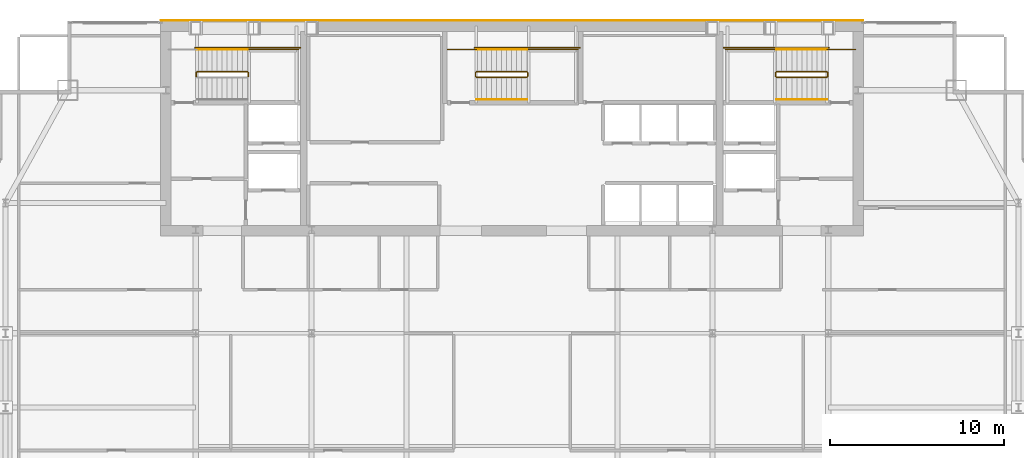
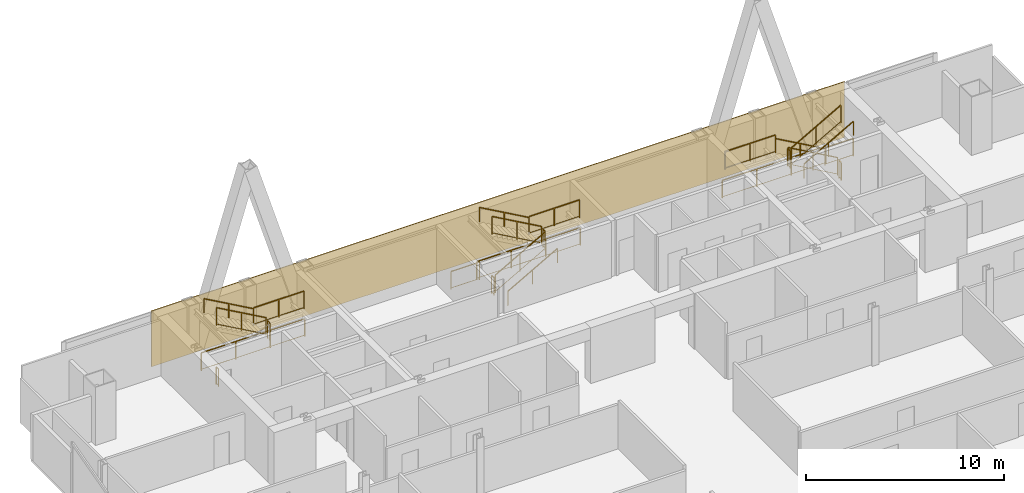
# One storey, part 32 of 32: 24 railings, 1 covering.
"""IFC4 building model written with IfcOpenShell, lengths in metres."""

from ifc_helpers import new_model, si_unit, direction, frame, origin, origin_2d, place, context, subcontext, project, spatial, polyline, rectangle, outline, extrude, material, layer, layer_set, type_object, element, save


model = new_model("IFC4")

# Units and contexts
model_context = context("Model", 3, precision=1e-05, world=origin(), true_north=direction((0.0, 1.0)))
body_context = subcontext(model_context, "Body", "Model", "MODEL_VIEW")
ifc_project = project(units=[si_unit("LENGTHUNIT", "METRE"), si_unit("AREAUNIT", "SQUARE_METRE"), si_unit("VOLUMEUNIT", "CUBIC_METRE"), si_unit("PLANEANGLEUNIT", "RADIAN"), si_unit("MASSUNIT", "GRAM", prefix="KILO")], contexts=[model_context])

# Site, building, storey
site_placement = place(None, origin())
site = spatial("IfcSite", under=ifc_project, at=site_placement, CompositionType="ELEMENT")
building_placement = place(site_placement, origin())
building = spatial("IfcBuilding", under=site, at=building_placement, Name="Khoronbel Lancet Exchange", CompositionType="ELEMENT")
storey_placement = place(building_placement, frame((0.0, 0.0, 199.39990234375)))
storey = spatial("IfcBuildingStorey", under=building, at=storey_placement, Name="L50", CompositionType="ELEMENT", Elevation=199.39990234375)

# Covering
ifc_material_1 = material(Name="Honed Egyptian Limestone & Bronze Rainscreen", Category="masonry")
ifc_layer = layer(ifc_material_1, 0.050048828125, Name="Honed Egyptian Limestone & Bronze Rainscreen")
ifc_layer_set = layer_set([ifc_layer], Name="Honed Egyptian Limestone & Bronze Rainscreen")
covering_type = type_object("IfcCoveringType", Name="COV-CLAD1", PredefinedType="CLADDING", material=ifc_layer_set)
covering_placement = place(storey_placement, origin())
element("IfcCovering", 1, at=covering_placement, inside=storey, type_object=covering_type, Name="Level L50 north rear-core stone and bronze rainscreen cladding", PredefinedType="CLADDING", context=body_context, shape_type="SweptSolid", body=[
    extrude(outline(polyline([(16.199951171875, 53.699951171875), (56.699951171875, 53.699951171875), (56.699951171875, 53.75), (16.199951171875, 53.75), (16.199951171875, 53.699951171875)])), origin(), (0.0, 0.0, 1.0), 3.440185546875),
])

# Railings
ifc_material_2 = material(Name="Painted Steel Balustrade", Category="steel")
railing_type_1 = type_object("IfcRailingType", Name="RL-STG110", PredefinedType="GUARDRAIL", material=ifc_material_2)
railing_1_placement = place(storey_placement, frame((21.25, 50.5, 1.800048828125)))
element("IfcRailing", 2, at=railing_1_placement, inside=storey, type_object=railing_type_1, Name="L50 ST1 stair guard 2", PredefinedType="GUARDRAIL", context=body_context, shape_type="SweptSolid", body=[
    extrude(rectangle(XDim=0.048095703125, YDim=0.048095703125, at=origin_2d()), frame((0.0, 0.0, 1.09619140625), z_axis=(0.0, 1.0, 0.0), x_axis=(-1.0, 0.0, 0.0)), (0.0, 0.0, 1.0), 0.219970703125),
    extrude(rectangle(XDim=0.02392578125, YDim=0.02392578125, at=origin_2d()), frame((0.0, 0.0, 0.080078125), z_axis=(0.0, 1.0, 0.0), x_axis=(-1.0, 0.0, 0.0)), (0.0, 0.0, 1.0), 0.219970703125),
    extrude(rectangle(XDim=0.0419921875, YDim=0.0419921875, at=origin_2d()), origin(), (0.0, 0.0, 1.0), 1.072021484375),
    extrude(rectangle(XDim=0.0419921875, YDim=0.0419921875, at=origin_2d()), frame((0.0, 0.219970703125, 0.0)), (0.0, 0.0, 1.0), 1.072021484375),
])
railing_2_placement = place(storey_placement, frame((21.199951171875, 52.050048828125, 1.800048828125)))
element("IfcRailing", 3, at=railing_2_placement, inside=storey, type_object=railing_type_1, Name="L50 ST1 stair guard 3", PredefinedType="GUARDRAIL", context=body_context, shape_type="SweptSolid", body=[
    extrude(rectangle(XDim=0.048095703125, YDim=0.048095703125, at=origin_2d()), frame((0.0, 0.0, 1.09619140625), z_axis=(1.0, 0.0, 0.0), x_axis=(0.0, 1.0, 0.0)), (0.0, 0.0, 1.0), 2.949951171875),
    extrude(rectangle(XDim=0.02392578125, YDim=0.02392578125, at=origin_2d()), frame((0.0, 0.0, 0.080078125), z_axis=(1.0, 0.0, 0.0), x_axis=(0.0, 1.0, 0.0)), (0.0, 0.0, 1.0), 2.949951171875),
    extrude(rectangle(XDim=0.0419921875, YDim=0.0419921875, at=origin_2d()), origin(), (0.0, 0.0, 1.0), 1.072021484375),
    extrude(rectangle(XDim=0.0419921875, YDim=0.0419921875, at=origin_2d()), frame((1.47509765625, 0.0, 0.0)), (0.0, 0.0, 1.0), 1.072021484375),
    extrude(rectangle(XDim=0.0419921875, YDim=0.0419921875, at=origin_2d()), frame((2.949951171875, 0.0, 0.0)), (0.0, 0.0, 1.0), 1.072021484375),
])
railing_3_placement = place(storey_placement, frame((21.199951171875, 50.77001953125, 1.963623046875)))
element("IfcRailing", 4, at=railing_3_placement, inside=storey, type_object=railing_type_1, Name="L50 ST1 stair guard 4", PredefinedType="GUARDRAIL", context=body_context, shape_type="SweptSolid", body=[
    extrude(rectangle(XDim=0.048095703125, YDim=0.048095703125, at=origin_2d()), frame((0.0, 0.0, 1.09619140625), z_axis=(-0.870897200241, 0.0, 0.491465224214), x_axis=(0.0, -1.0, 0.0)), (0.0, 0.0, 1.0), 3.329833984375),
    extrude(rectangle(XDim=0.02392578125, YDim=0.02392578125, at=origin_2d()), frame((0.0, 0.0, 0.080078125), z_axis=(-0.870897200241, 0.0, 0.491465224214), x_axis=(0.0, -1.0, 0.0)), (0.0, 0.0, 1.0), 3.329833984375),
    extrude(rectangle(XDim=0.0419921875, YDim=0.0419921875, at=origin_2d()), origin(), (0.0, 0.0, 1.0), 1.072021484375),
    extrude(rectangle(XDim=0.0419921875, YDim=0.0419921875, at=origin_2d()), frame((-1.449951171875, 0.0, 0.818359375)), (0.0, 0.0, 1.0), 1.072021484375),
    extrude(rectangle(XDim=0.0419921875, YDim=0.0419921875, at=origin_2d()), frame((-2.89990234375, 0.0, 1.636474609375)), (0.0, 0.0, 1.0), 1.072021484375),
])
railing_4_placement = place(storey_placement, frame((18.25, 50.5, 0.0)))
element("IfcRailing", 5, at=railing_4_placement, inside=storey, type_object=railing_type_1, Name="L50 ST1 stair guard 5", PredefinedType="GUARDRAIL", context=body_context, shape_type="SweptSolid", body=[
    extrude(rectangle(XDim=0.048095703125, YDim=0.048095703125, at=origin_2d()), frame((0.0, 0.0, 1.09619140625), z_axis=(0.0, 1.0, 0.0), x_axis=(-1.0, 0.0, 0.0)), (0.0, 0.0, 1.0), 0.219970703125),
    extrude(rectangle(XDim=0.02392578125, YDim=0.02392578125, at=origin_2d()), frame((0.0, 0.0, 0.080078125), z_axis=(0.0, 1.0, 0.0), x_axis=(-1.0, 0.0, 0.0)), (0.0, 0.0, 1.0), 0.219970703125),
    extrude(rectangle(XDim=0.0419921875, YDim=0.0419921875, at=origin_2d()), origin(), (0.0, 0.0, 1.0), 1.072021484375),
    extrude(rectangle(XDim=0.0419921875, YDim=0.0419921875, at=origin_2d()), frame((0.0, 0.219970703125, 0.0)), (0.0, 0.0, 1.0), 1.072021484375),
])
railing_5_placement = place(storey_placement, frame((18.199951171875, 52.14990234375, 0.0)))
element("IfcRailing", 6, at=railing_5_placement, inside=storey, type_object=railing_type_1, Name="L50 ST1 stair guard 7", PredefinedType="GUARDRAIL", context=body_context, shape_type="SweptSolid", body=[
    extrude(rectangle(XDim=0.048095703125, YDim=0.048095703125, at=origin_2d()), frame((0.0, 0.0, 1.09619140625), z_axis=(1.0, 0.0, 0.0), x_axis=(0.0, 1.0, 0.0)), (0.0, 0.0, 1.0), 6.050048828125),
    extrude(rectangle(XDim=0.02392578125, YDim=0.02392578125, at=origin_2d()), frame((0.0, 0.0, 0.080078125), z_axis=(1.0, 0.0, 0.0), x_axis=(0.0, 1.0, 0.0)), (0.0, 0.0, 1.0), 6.050048828125),
    extrude(rectangle(XDim=0.0419921875, YDim=0.0419921875, at=origin_2d()), origin(), (0.0, 0.0, 1.0), 1.072021484375),
    extrude(rectangle(XDim=0.0419921875, YDim=0.0419921875, at=origin_2d()), frame((2.0166015625, 0.0, 0.0)), (0.0, 0.0, 1.0), 1.072021484375),
    extrude(rectangle(XDim=0.0419921875, YDim=0.0419921875, at=origin_2d()), frame((4.033447265625, 0.0, 0.0)), (0.0, 0.0, 1.0), 1.072021484375),
    extrude(rectangle(XDim=0.0419921875, YDim=0.0419921875, at=origin_2d()), frame((6.050048828125, 0.0, 0.0)), (0.0, 0.0, 1.0), 1.072021484375),
])
railing_6_placement = place(storey_placement, frame((54.60009765625, 50.77001953125, 0.163818359375)))
element("IfcRailing", 7, at=railing_6_placement, inside=storey, type_object=railing_type_1, Name="L50 ST2 stair guard 1", PredefinedType="GUARDRAIL", context=body_context, shape_type="SweptSolid", body=[
    extrude(rectangle(XDim=0.048095703125, YDim=0.048095703125, at=origin_2d()), frame((0.0, 0.0, 1.09619140625), z_axis=(-0.870946286338, 0.0, 0.49137823142), x_axis=(0.0, -1.0, 0.0)), (0.0, 0.0, 1.0), 3.329833984375),
    extrude(rectangle(XDim=0.02392578125, YDim=0.02392578125, at=origin_2d()), frame((0.0, 0.0, 0.080078125), z_axis=(-0.870946286338, 0.0, 0.49137823142), x_axis=(0.0, -1.0, 0.0)), (0.0, 0.0, 1.0), 3.329833984375),
    extrude(rectangle(XDim=0.0419921875, YDim=0.0419921875, at=origin_2d()), origin(), (0.0, 0.0, 1.0), 1.072021484375),
    extrude(rectangle(XDim=0.0419921875, YDim=0.0419921875, at=origin_2d()), frame((-1.4501953125, 0.0, 0.818115234375)), (0.0, 0.0, 1.0), 1.072021484375),
    extrude(rectangle(XDim=0.0419921875, YDim=0.0419921875, at=origin_2d()), frame((-2.900146484375, 0.0, 1.63623046875)), (0.0, 0.0, 1.0), 1.072021484375),
])
railing_7_placement = place(storey_placement, frame((51.64990234375, 50.719970703125, 1.800048828125)))
element("IfcRailing", 8, at=railing_7_placement, inside=storey, type_object=railing_type_1, Name="L50 ST2 stair guard 2", PredefinedType="GUARDRAIL", context=body_context, shape_type="SweptSolid", body=[
    extrude(rectangle(XDim=0.048095703125, YDim=0.048095703125, at=origin_2d()), frame((0.0, 0.0, 1.09619140625), z_axis=(0.0, -1.0, 0.0), x_axis=(1.0, 0.0, 0.0)), (0.0, 0.0, 1.0), 0.219970703125),
    extrude(rectangle(XDim=0.02392578125, YDim=0.02392578125, at=origin_2d()), frame((0.0, 0.0, 0.080078125), z_axis=(0.0, -1.0, 0.0), x_axis=(1.0, 0.0, 0.0)), (0.0, 0.0, 1.0), 0.219970703125),
    extrude(rectangle(XDim=0.0419921875, YDim=0.0419921875, at=origin_2d()), origin(), (0.0, 0.0, 1.0), 1.072021484375),
    extrude(rectangle(XDim=0.0419921875, YDim=0.0419921875, at=origin_2d()), frame((0.0, -0.219970703125, 0.0)), (0.0, 0.0, 1.0), 1.072021484375),
])
railing_8_placement = place(storey_placement, frame((51.699951171875, 52.050048828125, 1.800048828125)))
element("IfcRailing", 9, at=railing_8_placement, inside=storey, type_object=railing_type_1, Name="L50 ST2 stair guard 3", PredefinedType="GUARDRAIL", context=body_context, shape_type="SweptSolid", body=[
    extrude(rectangle(XDim=0.048095703125, YDim=0.048095703125, at=origin_2d()), frame((0.0, 0.0, 1.09619140625), z_axis=(-1.0, 0.0, 0.0), x_axis=(0.0, -1.0, 0.0)), (0.0, 0.0, 1.0), 2.949951171875),
    extrude(rectangle(XDim=0.02392578125, YDim=0.02392578125, at=origin_2d()), frame((0.0, 0.0, 0.080078125), z_axis=(-1.0, 0.0, 0.0), x_axis=(0.0, -1.0, 0.0)), (0.0, 0.0, 1.0), 2.949951171875),
    extrude(rectangle(XDim=0.0419921875, YDim=0.0419921875, at=origin_2d()), origin(), (0.0, 0.0, 1.0), 1.072021484375),
    extrude(rectangle(XDim=0.0419921875, YDim=0.0419921875, at=origin_2d()), frame((-1.47509765625, 0.0, 0.0)), (0.0, 0.0, 1.0), 1.072021484375),
    extrude(rectangle(XDim=0.0419921875, YDim=0.0419921875, at=origin_2d()), frame((-2.949951171875, 0.0, 0.0)), (0.0, 0.0, 1.0), 1.072021484375),
])
railing_9_placement = place(storey_placement, frame((51.699951171875, 50.449951171875, 1.963623046875)))
element("IfcRailing", 10, at=railing_9_placement, inside=storey, type_object=railing_type_1, Name="L50 ST2 stair guard 4", PredefinedType="GUARDRAIL", context=body_context, shape_type="SweptSolid", body=[
    extrude(rectangle(XDim=0.048095703125, YDim=0.048095703125, at=origin_2d()), frame((0.0, 0.0, 1.09619140625), z_axis=(0.870914908162, 0.0, 0.491433843708), x_axis=(0.0, 1.0, 0.0)), (0.0, 0.0, 1.0), 3.330078125),
    extrude(rectangle(XDim=0.02392578125, YDim=0.02392578125, at=origin_2d()), frame((0.0, 0.0, 0.080078125), z_axis=(0.870914908162, 0.0, 0.491433843708), x_axis=(0.0, 1.0, 0.0)), (0.0, 0.0, 1.0), 3.330078125),
    extrude(rectangle(XDim=0.0419921875, YDim=0.0419921875, at=origin_2d()), origin(), (0.0, 0.0, 1.0), 1.072021484375),
    extrude(rectangle(XDim=0.0419921875, YDim=0.0419921875, at=origin_2d()), frame((1.4501953125, 0.0, 0.818359375)), (0.0, 0.0, 1.0), 1.072021484375),
    extrude(rectangle(XDim=0.0419921875, YDim=0.0419921875, at=origin_2d()), frame((2.900146484375, 0.0, 1.636474609375)), (0.0, 0.0, 1.0), 1.072021484375),
])
railing_10_placement = place(storey_placement, frame((54.64990234375, 50.719970703125, 0.0)))
element("IfcRailing", 11, at=railing_10_placement, inside=storey, type_object=railing_type_1, Name="L50 ST2 stair guard 5", PredefinedType="GUARDRAIL", context=body_context, shape_type="SweptSolid", body=[
    extrude(rectangle(XDim=0.048095703125, YDim=0.048095703125, at=origin_2d()), frame((0.0, 0.0, 1.09619140625), z_axis=(0.0, -1.0, 0.0), x_axis=(1.0, 0.0, 0.0)), (0.0, 0.0, 1.0), 0.219970703125),
    extrude(rectangle(XDim=0.02392578125, YDim=0.02392578125, at=origin_2d()), frame((0.0, 0.0, 0.080078125), z_axis=(0.0, -1.0, 0.0), x_axis=(1.0, 0.0, 0.0)), (0.0, 0.0, 1.0), 0.219970703125),
    extrude(rectangle(XDim=0.0419921875, YDim=0.0419921875, at=origin_2d()), origin(), (0.0, 0.0, 1.0), 1.072021484375),
    extrude(rectangle(XDim=0.0419921875, YDim=0.0419921875, at=origin_2d()), frame((0.0, -0.219970703125, 0.0)), (0.0, 0.0, 1.0), 1.072021484375),
])
railing_11_placement = place(storey_placement, frame((56.25, 52.050048828125, 0.0)))
element("IfcRailing", 12, at=railing_11_placement, inside=storey, type_object=railing_type_1, Name="L50 ST2 stair guard 6", PredefinedType="GUARDRAIL", context=body_context, shape_type="SweptSolid", body=[
    extrude(rectangle(XDim=0.048095703125, YDim=0.048095703125, at=origin_2d()), frame((0.0, 0.0, 1.09619140625), z_axis=(-1.0, 0.0, 0.0), x_axis=(0.0, -1.0, 0.0)), (0.0, 0.0, 1.0), 1.64990234375),
    extrude(rectangle(XDim=0.02392578125, YDim=0.02392578125, at=origin_2d()), frame((0.0, 0.0, 0.080078125), z_axis=(-1.0, 0.0, 0.0), x_axis=(0.0, -1.0, 0.0)), (0.0, 0.0, 1.0), 1.64990234375),
    extrude(rectangle(XDim=0.0419921875, YDim=0.0419921875, at=origin_2d()), origin(), (0.0, 0.0, 1.0), 1.072021484375),
    extrude(rectangle(XDim=0.0419921875, YDim=0.0419921875, at=origin_2d()), frame((-1.64990234375, 0.0, 0.0)), (0.0, 0.0, 1.0), 1.072021484375),
])
railing_12_placement = place(storey_placement, frame((54.699951171875, 52.14990234375, 0.0)))
element("IfcRailing", 13, at=railing_12_placement, inside=storey, type_object=railing_type_1, Name="L50 ST2 stair guard 7", PredefinedType="GUARDRAIL", context=body_context, shape_type="SweptSolid", body=[
    extrude(rectangle(XDim=0.048095703125, YDim=0.048095703125, at=origin_2d()), frame((0.0, 0.0, 1.09619140625), z_axis=(-1.0, 0.0, 0.0), x_axis=(0.0, -1.0, 0.0)), (0.0, 0.0, 1.0), 6.050048828125),
    extrude(rectangle(XDim=0.02392578125, YDim=0.02392578125, at=origin_2d()), frame((0.0, 0.0, 0.080078125), z_axis=(-1.0, 0.0, 0.0), x_axis=(0.0, -1.0, 0.0)), (0.0, 0.0, 1.0), 6.050048828125),
    extrude(rectangle(XDim=0.0419921875, YDim=0.0419921875, at=origin_2d()), origin(), (0.0, 0.0, 1.0), 1.072021484375),
    extrude(rectangle(XDim=0.0419921875, YDim=0.0419921875, at=origin_2d()), frame((-2.0166015625, 0.0, 0.0)), (0.0, 0.0, 1.0), 1.072021484375),
    extrude(rectangle(XDim=0.0419921875, YDim=0.0419921875, at=origin_2d()), frame((-4.033447265625, 0.0, 0.0)), (0.0, 0.0, 1.0), 1.072021484375),
    extrude(rectangle(XDim=0.0419921875, YDim=0.0419921875, at=origin_2d()), frame((-6.050048828125, 0.0, 0.0)), (0.0, 0.0, 1.0), 1.072021484375),
])
railing_13_placement = place(storey_placement, frame((34.39990234375, 50.449951171875, 0.163818359375)))
element("IfcRailing", 14, at=railing_13_placement, inside=storey, type_object=railing_type_1, Name="L50 ST3 stair guard 1", PredefinedType="GUARDRAIL", context=body_context, shape_type="SweptSolid", body=[
    extrude(rectangle(XDim=0.048095703125, YDim=0.048095703125, at=origin_2d()), frame((0.0, 0.0, 1.09619140625), z_axis=(0.870946286338, 0.0, 0.49137823142), x_axis=(0.0, 1.0, 0.0)), (0.0, 0.0, 1.0), 3.329833984375),
    extrude(rectangle(XDim=0.02392578125, YDim=0.02392578125, at=origin_2d()), frame((0.0, 0.0, 0.080078125), z_axis=(0.870946286338, 0.0, 0.49137823142), x_axis=(0.0, 1.0, 0.0)), (0.0, 0.0, 1.0), 3.329833984375),
    extrude(rectangle(XDim=0.0419921875, YDim=0.0419921875, at=origin_2d()), origin(), (0.0, 0.0, 1.0), 1.072021484375),
    extrude(rectangle(XDim=0.0419921875, YDim=0.0419921875, at=origin_2d()), frame((1.4501953125, 0.0, 0.818115234375)), (0.0, 0.0, 1.0), 1.072021484375),
    extrude(rectangle(XDim=0.0419921875, YDim=0.0419921875, at=origin_2d()), frame((2.900146484375, 0.0, 1.63623046875)), (0.0, 0.0, 1.0), 1.072021484375),
])
railing_14_placement = place(storey_placement, frame((37.35009765625, 50.5, 1.800048828125)))
element("IfcRailing", 15, at=railing_14_placement, inside=storey, type_object=railing_type_1, Name="L50 ST3 stair guard 2", PredefinedType="GUARDRAIL", context=body_context, shape_type="SweptSolid", body=[
    extrude(rectangle(XDim=0.048095703125, YDim=0.048095703125, at=origin_2d()), frame((0.0, 0.0, 1.09619140625), z_axis=(0.0, 1.0, 0.0), x_axis=(-1.0, 0.0, 0.0)), (0.0, 0.0, 1.0), 0.219970703125),
    extrude(rectangle(XDim=0.02392578125, YDim=0.02392578125, at=origin_2d()), frame((0.0, 0.0, 0.080078125), z_axis=(0.0, 1.0, 0.0), x_axis=(-1.0, 0.0, 0.0)), (0.0, 0.0, 1.0), 0.219970703125),
    extrude(rectangle(XDim=0.0419921875, YDim=0.0419921875, at=origin_2d()), origin(), (0.0, 0.0, 1.0), 1.072021484375),
    extrude(rectangle(XDim=0.0419921875, YDim=0.0419921875, at=origin_2d()), frame((0.0, 0.219970703125, 0.0)), (0.0, 0.0, 1.0), 1.072021484375),
])
railing_15_placement = place(storey_placement, frame((37.300048828125, 52.050048828125, 1.800048828125)))
element("IfcRailing", 16, at=railing_15_placement, inside=storey, type_object=railing_type_1, Name="L50 ST3 stair guard 3", PredefinedType="GUARDRAIL", context=body_context, shape_type="SweptSolid", body=[
    extrude(rectangle(XDim=0.048095703125, YDim=0.048095703125, at=origin_2d()), frame((0.0, 0.0, 1.09619140625), z_axis=(1.0, 0.0, 0.0), x_axis=(0.0, 1.0, 0.0)), (0.0, 0.0, 1.0), 2.949951171875),
    extrude(rectangle(XDim=0.02392578125, YDim=0.02392578125, at=origin_2d()), frame((0.0, 0.0, 0.080078125), z_axis=(1.0, 0.0, 0.0), x_axis=(0.0, 1.0, 0.0)), (0.0, 0.0, 1.0), 2.949951171875),
    extrude(rectangle(XDim=0.0419921875, YDim=0.0419921875, at=origin_2d()), origin(), (0.0, 0.0, 1.0), 1.072021484375),
    extrude(rectangle(XDim=0.0419921875, YDim=0.0419921875, at=origin_2d()), frame((1.47509765625, 0.0, 0.0)), (0.0, 0.0, 1.0), 1.072021484375),
    extrude(rectangle(XDim=0.0419921875, YDim=0.0419921875, at=origin_2d()), frame((2.949951171875, 0.0, 0.0)), (0.0, 0.0, 1.0), 1.072021484375),
])
railing_16_placement = place(storey_placement, frame((37.300048828125, 50.77001953125, 1.963623046875)))
element("IfcRailing", 17, at=railing_16_placement, inside=storey, type_object=railing_type_1, Name="L50 ST3 stair guard 4", PredefinedType="GUARDRAIL", context=body_context, shape_type="SweptSolid", body=[
    extrude(rectangle(XDim=0.048095703125, YDim=0.048095703125, at=origin_2d()), frame((0.0, 0.0, 1.09619140625), z_axis=(-0.870914908162, 0.0, 0.491433843708), x_axis=(0.0, -1.0, 0.0)), (0.0, 0.0, 1.0), 3.330078125),
    extrude(rectangle(XDim=0.02392578125, YDim=0.02392578125, at=origin_2d()), frame((0.0, 0.0, 0.080078125), z_axis=(-0.870914908162, 0.0, 0.491433843708), x_axis=(0.0, -1.0, 0.0)), (0.0, 0.0, 1.0), 3.330078125),
    extrude(rectangle(XDim=0.0419921875, YDim=0.0419921875, at=origin_2d()), origin(), (0.0, 0.0, 1.0), 1.072021484375),
    extrude(rectangle(XDim=0.0419921875, YDim=0.0419921875, at=origin_2d()), frame((-1.4501953125, 0.0, 0.818359375)), (0.0, 0.0, 1.0), 1.072021484375),
    extrude(rectangle(XDim=0.0419921875, YDim=0.0419921875, at=origin_2d()), frame((-2.900146484375, 0.0, 1.636474609375)), (0.0, 0.0, 1.0), 1.072021484375),
])
railing_17_placement = place(storey_placement, frame((34.35009765625, 50.5, 0.0)))
element("IfcRailing", 18, at=railing_17_placement, inside=storey, type_object=railing_type_1, Name="L50 ST3 stair guard 5", PredefinedType="GUARDRAIL", context=body_context, shape_type="SweptSolid", body=[
    extrude(rectangle(XDim=0.048095703125, YDim=0.048095703125, at=origin_2d()), frame((0.0, 0.0, 1.09619140625), z_axis=(0.0, 1.0, 0.0), x_axis=(-1.0, 0.0, 0.0)), (0.0, 0.0, 1.0), 0.219970703125),
    extrude(rectangle(XDim=0.02392578125, YDim=0.02392578125, at=origin_2d()), frame((0.0, 0.0, 0.080078125), z_axis=(0.0, 1.0, 0.0), x_axis=(-1.0, 0.0, 0.0)), (0.0, 0.0, 1.0), 0.219970703125),
    extrude(rectangle(XDim=0.0419921875, YDim=0.0419921875, at=origin_2d()), origin(), (0.0, 0.0, 1.0), 1.072021484375),
    extrude(rectangle(XDim=0.0419921875, YDim=0.0419921875, at=origin_2d()), frame((0.0, 0.219970703125, 0.0)), (0.0, 0.0, 1.0), 1.072021484375),
])
railing_18_placement = place(storey_placement, frame((32.75, 52.050048828125, 0.0)))
element("IfcRailing", 19, at=railing_18_placement, inside=storey, type_object=railing_type_1, Name="L50 ST3 stair guard 6", PredefinedType="GUARDRAIL", context=body_context, shape_type="SweptSolid", body=[
    extrude(rectangle(XDim=0.048095703125, YDim=0.048095703125, at=origin_2d()), frame((0.0, 0.0, 1.09619140625), z_axis=(1.0, 0.0, 0.0), x_axis=(0.0, 1.0, 0.0)), (0.0, 0.0, 1.0), 1.64990234375),
    extrude(rectangle(XDim=0.02392578125, YDim=0.02392578125, at=origin_2d()), frame((0.0, 0.0, 0.080078125), z_axis=(1.0, 0.0, 0.0), x_axis=(0.0, 1.0, 0.0)), (0.0, 0.0, 1.0), 1.64990234375),
    extrude(rectangle(XDim=0.0419921875, YDim=0.0419921875, at=origin_2d()), origin(), (0.0, 0.0, 1.0), 1.072021484375),
    extrude(rectangle(XDim=0.0419921875, YDim=0.0419921875, at=origin_2d()), frame((1.64990234375, 0.0, 0.0)), (0.0, 0.0, 1.0), 1.072021484375),
])
railing_19_placement = place(storey_placement, frame((34.300048828125, 52.14990234375, 0.0)))
element("IfcRailing", 20, at=railing_19_placement, inside=storey, type_object=railing_type_1, Name="L50 ST3 stair guard 7", PredefinedType="GUARDRAIL", context=body_context, shape_type="SweptSolid", body=[
    extrude(rectangle(XDim=0.048095703125, YDim=0.048095703125, at=origin_2d()), frame((0.0, 0.0, 1.09619140625), z_axis=(1.0, 0.0, 0.0), x_axis=(0.0, 1.0, 0.0)), (0.0, 0.0, 1.0), 6.050048828125),
    extrude(rectangle(XDim=0.02392578125, YDim=0.02392578125, at=origin_2d()), frame((0.0, 0.0, 0.080078125), z_axis=(1.0, 0.0, 0.0), x_axis=(0.0, 1.0, 0.0)), (0.0, 0.0, 1.0), 6.050048828125),
    extrude(rectangle(XDim=0.0419921875, YDim=0.0419921875, at=origin_2d()), origin(), (0.0, 0.0, 1.0), 1.072021484375),
    extrude(rectangle(XDim=0.0419921875, YDim=0.0419921875, at=origin_2d()), frame((2.0166015625, 0.0, 0.0)), (0.0, 0.0, 1.0), 1.072021484375),
    extrude(rectangle(XDim=0.0419921875, YDim=0.0419921875, at=origin_2d()), frame((4.033447265625, 0.0, 0.0)), (0.0, 0.0, 1.0), 1.072021484375),
    extrude(rectangle(XDim=0.0419921875, YDim=0.0419921875, at=origin_2d()), frame((6.050048828125, 0.0, 0.0)), (0.0, 0.0, 1.0), 1.072021484375),
])
ifc_material_3 = material(Name="Brushed Stainless Steel 316", Category="steel")
railing_type_2 = type_object("IfcRailingType", Name="RL-STH92", PredefinedType="HANDRAIL", material=ifc_material_3)
railing_20_placement = place(storey_placement, frame((21.199951171875, 52.050048828125, 1.963623046875)))
element("IfcRailing", 21, at=railing_20_placement, inside=storey, type_object=railing_type_2, Name="L50 ST1 stair handrail 2", PredefinedType="HANDRAIL", context=body_context, shape_type="SweptSolid", body=[
    extrude(rectangle(XDim=0.048095703125, YDim=0.048095703125, at=origin_2d()), frame((0.0, 0.0, 0.8759765625), z_axis=(-0.870897200241, 0.0, 0.491465224214), x_axis=(0.0, -1.0, 0.0)), (0.0, 0.0, 1.0), 3.329833984375),
    extrude(rectangle(XDim=0.0419921875, YDim=0.0419921875, at=origin_2d()), origin(), (0.0, 0.0, 1.0), 0.851806640625),
    extrude(rectangle(XDim=0.0419921875, YDim=0.0419921875, at=origin_2d()), frame((-1.449951171875, 0.0, 0.818359375)), (0.0, 0.0, 1.0), 0.851806640625),
    extrude(rectangle(XDim=0.0419921875, YDim=0.0419921875, at=origin_2d()), frame((-2.89990234375, 0.0, 1.636474609375)), (0.0, 0.0, 1.0), 0.851806640625),
])
railing_21_placement = place(storey_placement, frame((54.60009765625, 52.050048828125, 0.163818359375)))
element("IfcRailing", 22, at=railing_21_placement, inside=storey, type_object=railing_type_2, Name="L50 ST2 stair handrail 1", PredefinedType="HANDRAIL", context=body_context, shape_type="SweptSolid", body=[
    extrude(rectangle(XDim=0.048095703125, YDim=0.048095703125, at=origin_2d()), frame((0.0, 0.0, 0.8759765625), z_axis=(-0.870946286338, 0.0, 0.49137823142), x_axis=(0.0, -1.0, 0.0)), (0.0, 0.0, 1.0), 3.329833984375),
    extrude(rectangle(XDim=0.0419921875, YDim=0.0419921875, at=origin_2d()), origin(), (0.0, 0.0, 1.0), 0.851806640625),
    extrude(rectangle(XDim=0.0419921875, YDim=0.0419921875, at=origin_2d()), frame((-1.4501953125, 0.0, 0.818115234375)), (0.0, 0.0, 1.0), 0.851806640625),
    extrude(rectangle(XDim=0.0419921875, YDim=0.0419921875, at=origin_2d()), frame((-2.900146484375, 0.0, 1.63623046875)), (0.0, 0.0, 1.0), 0.851806640625),
])
railing_22_placement = place(storey_placement, frame((51.699951171875, 49.169921875, 1.963623046875)))
element("IfcRailing", 23, at=railing_22_placement, inside=storey, type_object=railing_type_2, Name="L50 ST2 stair handrail 2", PredefinedType="HANDRAIL", context=body_context, shape_type="SweptSolid", body=[
    extrude(rectangle(XDim=0.048095703125, YDim=0.048095703125, at=origin_2d()), frame((0.0, 0.0, 0.8759765625), z_axis=(0.870914908162, 0.0, 0.491433843708), x_axis=(0.0, 1.0, 0.0)), (0.0, 0.0, 1.0), 3.330078125),
    extrude(rectangle(XDim=0.0419921875, YDim=0.0419921875, at=origin_2d()), origin(), (0.0, 0.0, 1.0), 0.851806640625),
    extrude(rectangle(XDim=0.0419921875, YDim=0.0419921875, at=origin_2d()), frame((1.4501953125, 0.0, 0.818359375)), (0.0, 0.0, 1.0), 0.851806640625),
    extrude(rectangle(XDim=0.0419921875, YDim=0.0419921875, at=origin_2d()), frame((2.900146484375, 0.0, 1.636474609375)), (0.0, 0.0, 1.0), 0.851806640625),
])
railing_23_placement = place(storey_placement, frame((34.39990234375, 49.169921875, 0.163818359375)))
element("IfcRailing", 24, at=railing_23_placement, inside=storey, type_object=railing_type_2, Name="L50 ST3 stair handrail 1", PredefinedType="HANDRAIL", context=body_context, shape_type="SweptSolid", body=[
    extrude(rectangle(XDim=0.048095703125, YDim=0.048095703125, at=origin_2d()), frame((0.0, 0.0, 0.8759765625), z_axis=(0.870946286338, 0.0, 0.49137823142), x_axis=(0.0, 1.0, 0.0)), (0.0, 0.0, 1.0), 3.329833984375),
    extrude(rectangle(XDim=0.0419921875, YDim=0.0419921875, at=origin_2d()), origin(), (0.0, 0.0, 1.0), 0.851806640625),
    extrude(rectangle(XDim=0.0419921875, YDim=0.0419921875, at=origin_2d()), frame((1.4501953125, 0.0, 0.818115234375)), (0.0, 0.0, 1.0), 0.851806640625),
    extrude(rectangle(XDim=0.0419921875, YDim=0.0419921875, at=origin_2d()), frame((2.900146484375, 0.0, 1.63623046875)), (0.0, 0.0, 1.0), 0.851806640625),
])
railing_24_placement = place(storey_placement, frame((37.300048828125, 52.050048828125, 1.963623046875)))
element("IfcRailing", 25, at=railing_24_placement, inside=storey, type_object=railing_type_2, Name="L50 ST3 stair handrail 2", PredefinedType="HANDRAIL", context=body_context, shape_type="SweptSolid", body=[
    extrude(rectangle(XDim=0.048095703125, YDim=0.048095703125, at=origin_2d()), frame((0.0, 0.0, 0.8759765625), z_axis=(-0.870914908162, 0.0, 0.491433843708), x_axis=(0.0, -1.0, 0.0)), (0.0, 0.0, 1.0), 3.330078125),
    extrude(rectangle(XDim=0.0419921875, YDim=0.0419921875, at=origin_2d()), origin(), (0.0, 0.0, 1.0), 0.851806640625),
    extrude(rectangle(XDim=0.0419921875, YDim=0.0419921875, at=origin_2d()), frame((-1.4501953125, 0.0, 0.818359375)), (0.0, 0.0, 1.0), 0.851806640625),
    extrude(rectangle(XDim=0.0419921875, YDim=0.0419921875, at=origin_2d()), frame((-2.900146484375, 0.0, 1.636474609375)), (0.0, 0.0, 1.0), 0.851806640625),
])

save(model, "model.ifc")
